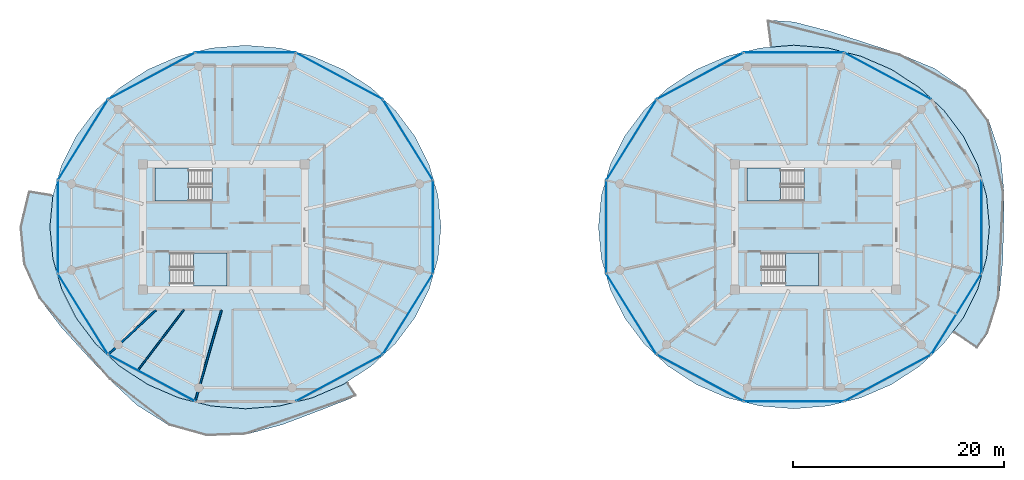
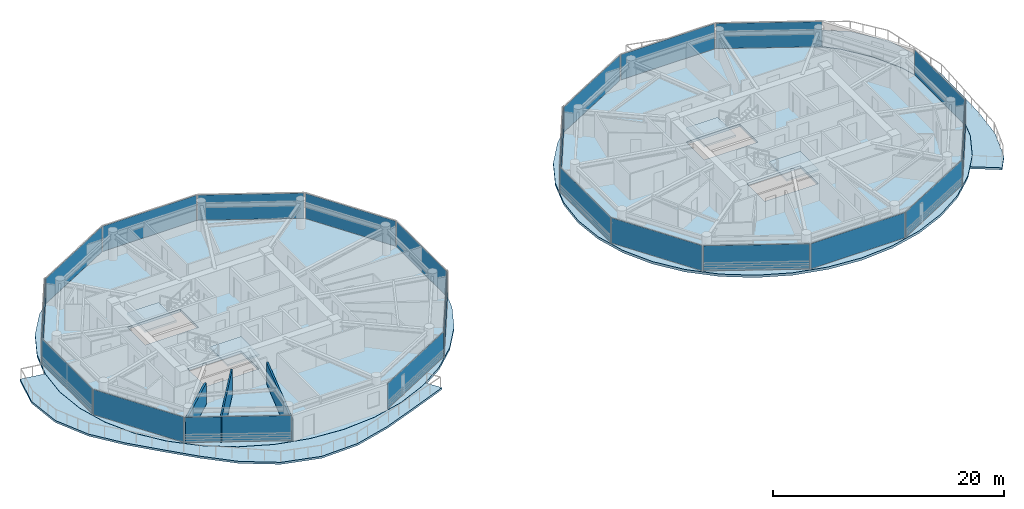
# One storey, part 12 of 24: 22 plates, 8 slabs, 3 walls, 26 elements without a shape of their own.
"""IFC4 building model written with IfcOpenShell, lengths in metres."""

from ifc_helpers import new_model, si_unit, direction, frame, frame_2d, origin, origin_2d, place, context, subcontext, project, spatial, polyline, rectangle, outline, extrude, source, transform, mapped, material, layer, layer_set, type_object, type_shapes, element, aggregate, save


model = new_model("IFC4")

# Units and contexts
model_context = context("Model", 3, precision=1e-05, world=origin(), true_north=direction((0.0, 1.0)))
body_context = subcontext(model_context, "Body", "Model", "MODEL_VIEW")
ifc_project = project(units=[si_unit("LENGTHUNIT", "METRE"), si_unit("AREAUNIT", "SQUARE_METRE"), si_unit("VOLUMEUNIT", "CUBIC_METRE"), si_unit("PLANEANGLEUNIT", "RADIAN"), si_unit("MASSUNIT", "GRAM", prefix="KILO")], contexts=[model_context])

# Site, building, storey
site_placement = place(None, origin())
site = spatial("IfcSite", under=ifc_project, at=site_placement, CompositionType="ELEMENT")
building_placement = place(site_placement, origin())
building = spatial("IfcBuilding", under=site, at=building_placement, Name="Norrkilde Senior Care Towers", CompositionType="ELEMENT")
storey_placement = place(building_placement, frame((0.0, 0.0, 102.35009765625)))
storey = spatial("IfcBuildingStorey", under=building, at=storey_placement, Name="L31", CompositionType="ELEMENT", Elevation=102.35009765625)

# Slabs
ifc_material_1 = material(Name="Concrete C50/60", Category="concrete")
ifc_layer_1 = layer(ifc_material_1, 0.215087890625)
ifc_layer_set_1 = layer_set([ifc_layer_1], Name="Concrete C50/60")
slab_type_1 = type_object("IfcSlabType", Name="Sinusoidal Balcony Ribbon Slab 215", PredefinedType="FLOOR", material=ifc_layer_set_1)
slab_1_placement = place(storey_placement, frame((0.0, 0.0, -0.215087890625)))
element("IfcSlab", 1, at=slab_1_placement, inside=storey, type_object=slab_type_1, Name="L31 Drum W Swirling Senior Balcony 1", PredefinedType="FLOOR", context=body_context, shape_type="SweptSolid", body=[
    extrude(outline(polyline([(-19.1826171875, -17.46337890625), (-22.44873046875, -18.700439453125), (-25.949951171875, -19.64013671875), (-29.626708984375, -19.770751953125), (-33.16455078125, -18.7841796875), (-36.243408203125, -16.83935546875), (-38.817626953125, -14.427001953125), (-41.12548828125, -11.961669921875), (-43.3896484375, -9.480712890625), (-45.48779296875, -6.725830078125), (-46.941162109375, -3.512451171875), (-47.282958984375, 0.0), (-46.466552734375, 3.422607421875), (-46.465087890625, 3.425537109375), (-44.15869140625, 3.040283203125), (-44.173828125, 2.987548828125), (-44.455078125, 0.0), (-44.173828125, -2.987548828125), (-43.339111328125, -5.884521484375), (-41.975830078125, -8.6025390625), (-40.125732421875, -11.05908203125), (-37.8447265625, -13.1796875), (-35.202392578125, -14.89990234375), (-32.279052734375, -16.16748046875), (-29.163330078125, -16.943603515625), (-25.949951171875, -17.205078125), (-22.736572265625, -16.943603515625), (-19.620849609375, -16.16748046875), (-16.697509765625, -14.89990234375), (-16.2919921875, -14.635986328125), (-15.416259765625, -15.963134765625), (-15.991455078125, -16.215576171875), (-19.1826171875, -17.46337890625)])), origin(), (0.0, 0.0, 1.0), 0.215087890625),
])
slab_2_placement = place(storey_placement, frame((0.0, 0.0, -0.215087890625)))
element("IfcSlab", 2, at=slab_2_placement, inside=storey, type_object=slab_type_1, Name="L31 Drum E Swirling Senior Balcony 1", PredefinedType="FLOOR", context=body_context, shape_type="SweptSolid", body=[
    extrude(outline(polyline([(44.309326171875, -10.0517578125), (43.295166015625, -11.500732421875), (40.95947265625, -9.9521484375), (41.975830078125, -8.6025390625), (43.339111328125, -5.884521484375), (44.173828125, -2.987548828125), (44.455078125, 0.0), (44.173828125, 2.987548828125), (43.339111328125, 5.884521484375), (41.975830078125, 8.6025390625), (40.125732421875, 11.05908203125), (37.8447265625, 13.1796875), (35.202392578125, 14.89990234375), (32.279052734375, 16.16748046875), (29.163330078125, 16.943603515625), (25.949951171875, 17.205078125), (23.742431640625, 17.025390625), (23.409912109375, 19.589111328125), (25.949951171875, 19.406005859375), (29.419189453125, 18.50439453125), (32.710693359375, 17.443359375), (35.989501953125, 16.36669921875), (39.263916015625, 14.999267578125), (42.216552734375, 12.9462890625), (44.378173828125, 10.094482421875), (45.511962890625, 6.7353515625), (45.8310546875, 3.302001953125), (45.80419921875, 0.0), (45.708984375, -3.27880859375), (45.363525390625, -6.677001953125), (44.309326171875, -10.0517578125)])), origin(), (0.0, 0.0, 1.0), 0.215087890625),
])

# Stair, slab
ifc_material_2 = material(Name="Concrete C45/55", Category="concrete")
stair_type = type_object("IfcStairType", Name="Core Protected Dogleg Stair Typical 3050", PredefinedType="HALF_TURN_STAIR", material=ifc_material_2)
stair_1_placement = place(storey_placement, origin())
stair_1 = element("IfcStair", 3, at=stair_1_placement, inside=storey, type_object=stair_type, Name="L31 Protected Core Stair W1", PredefinedType="HALF_TURN_STAIR")
ifc_layer_2 = layer(ifc_material_2, 0.199951171875)
ifc_layer_set_2 = layer_set([ifc_layer_2], Name="Concrete C45/55")
slab_type_2 = type_object("IfcSlabType", Name="Stair Landing Slab 200", PredefinedType="LANDING", material=ifc_layer_set_2)
slab_3_placement = place(storey_placement, frame((0.0, 0.0, 1.324951171875)))
slab_3 = element("IfcSlab", 4, at=slab_3_placement, type_object=slab_type_2, Name="ST-W1 landing 1", PredefinedType="LANDING", context=body_context, shape_type="SweptSolid", body=[
    extrude(outline(polyline([(-31.340087890625, 5.590087890625), (-34.5, 5.590087890625), (-34.5, 2.449951171875), (-31.340087890625, 2.449951171875), (-31.340087890625, 5.590087890625)])), origin(), (0.0, 0.0, 1.0), 0.199951171875),
])
aggregate(stair_1, [slab_3])

stair_2_placement = place(storey_placement, origin())
stair_2 = element("IfcStair", 5, at=stair_2_placement, inside=storey, type_object=stair_type, Name="L31 Protected Core Stair W2", PredefinedType="HALF_TURN_STAIR")
slab_4_placement = place(storey_placement, frame((0.0, 0.0, 1.324951171875)))
slab_4 = element("IfcSlab", 6, at=slab_4_placement, type_object=slab_type_2, Name="ST-W2 landing 1", PredefinedType="LANDING", context=body_context, shape_type="SweptSolid", body=[
    extrude(outline(polyline([(-30.860107421875, -5.590087890625), (-27.699951171875, -5.590087890625), (-27.699951171875, -2.449951171875), (-30.860107421875, -2.449951171875), (-30.860107421875, -5.590087890625)])), origin(), (0.0, 0.0, 1.0), 0.199951171875),
])
aggregate(stair_2, [slab_4])

stair_3_placement = place(storey_placement, origin())
stair_3 = element("IfcStair", 7, at=stair_3_placement, inside=storey, type_object=stair_type, Name="L31 Protected Core Stair E1", PredefinedType="HALF_TURN_STAIR")
slab_5_placement = place(storey_placement, frame((0.0, 0.0, 1.324951171875)))
slab_5 = element("IfcSlab", 8, at=slab_5_placement, type_object=slab_type_2, Name="ST-E1 landing 1", PredefinedType="LANDING", context=body_context, shape_type="SweptSolid", body=[
    extrude(outline(polyline([(24.659912109375, 5.590087890625), (21.5, 5.590087890625), (21.5, 2.449951171875), (24.659912109375, 2.449951171875), (24.659912109375, 5.590087890625)])), origin(), (0.0, 0.0, 1.0), 0.199951171875),
])
aggregate(stair_3, [slab_5])

stair_4_placement = place(storey_placement, origin())
stair_4 = element("IfcStair", 9, at=stair_4_placement, inside=storey, type_object=stair_type, Name="L31 Protected Core Stair E2", PredefinedType="HALF_TURN_STAIR")
slab_6_placement = place(storey_placement, frame((0.0, 0.0, 1.324951171875)))
slab_6 = element("IfcSlab", 10, at=slab_6_placement, type_object=slab_type_2, Name="ST-E2 landing 1", PredefinedType="LANDING", context=body_context, shape_type="SweptSolid", body=[
    extrude(outline(polyline([(25.139892578125, -5.590087890625), (28.300048828125, -5.590087890625), (28.300048828125, -2.449951171875), (25.139892578125, -2.449951171875), (25.139892578125, -5.590087890625)])), origin(), (0.0, 0.0, 1.0), 0.199951171875),
])
aggregate(stair_4, [slab_6])

# Slabs
ifc_layer_3 = layer(ifc_material_1, 0.260009765625)
ifc_layer_set_3 = layer_set([ifc_layer_3], Name="Concrete C50/60")
slab_type_3 = type_object("IfcSlabType", Name="Tower Care Floor Slab 260", PredefinedType="FLOOR", material=ifc_layer_set_3)
slab_7_placement = place(storey_placement, frame((0.0, 0.0, -0.260009765625)))
element("IfcSlab", 11, at=slab_7_placement, inside=storey, type_object=slab_type_3, Name="L31 Drum W Structural Floor Slab", PredefinedType="FLOOR", context=body_context, shape_type="SweptSolid", body=[
    extrude(outline(polyline([(-8.565673828125, -5.8828125), (-9.928466796875, -8.60009765625), (-11.778076171875, -11.055908203125), (-14.058349609375, -13.176025390625), (-16.699951171875, -14.895751953125), (-19.62255859375, -16.16259765625), (-22.737548828125, -16.938720703125), (-25.949951171875, -17.199951171875), (-29.16259765625, -16.938720703125), (-32.27734375, -16.16259765625), (-35.199951171875, -14.895751953125), (-37.841552734375, -13.176025390625), (-40.121826171875, -11.055908203125), (-41.971435546875, -8.60009765625), (-43.334228515625, -5.8828125), (-44.1689453125, -2.98681640625), (-44.449951171875, 0.0), (-44.1689453125, 2.98681640625), (-43.334228515625, 5.8828125), (-41.971435546875, 8.60009765625), (-40.121826171875, 11.055908203125), (-37.841552734375, 13.176025390625), (-35.199951171875, 14.895751953125), (-32.27734375, 16.16259765625), (-29.16259765625, 16.938720703125), (-25.949951171875, 17.199951171875), (-22.737548828125, 16.938720703125), (-19.62255859375, 16.16259765625), (-16.699951171875, 14.895751953125), (-14.058349609375, 13.176025390625), (-11.778076171875, 11.055908203125), (-9.928466796875, 8.60009765625), (-8.565673828125, 5.8828125), (-7.73095703125, 2.98681640625), (-7.449951171875, 0.0), (-7.73095703125, -2.98681640625), (-8.565673828125, -5.8828125)]), holes=[polyline([(-34.48193359375, 2.468017578125), (-29.117919921875, 2.468017578125), (-29.117919921875, 5.590087890625), (-34.48193359375, 5.590087890625), (-34.48193359375, 2.468017578125)]), polyline([(-27.718017578125, -5.590087890625), (-27.718017578125, -2.468017578125), (-33.08203125, -2.468017578125), (-33.08203125, -5.590087890625), (-27.718017578125, -5.590087890625)])]), origin(), (0.0, 0.0, 1.0), 0.260009765625),
])
slab_8_placement = place(storey_placement, frame((0.0, 0.0, -0.260009765625)))
element("IfcSlab", 12, at=slab_8_placement, inside=storey, type_object=slab_type_3, Name="L31 Drum E Structural Floor Slab", PredefinedType="FLOOR", context=body_context, shape_type="SweptSolid", body=[
    extrude(outline(polyline([(43.334228515625, -5.8828125), (41.971435546875, -8.60009765625), (40.121826171875, -11.055908203125), (37.841552734375, -13.176025390625), (35.199951171875, -14.895751953125), (32.27734375, -16.16259765625), (29.16259765625, -16.938720703125), (25.949951171875, -17.199951171875), (22.737548828125, -16.938720703125), (19.62255859375, -16.16259765625), (16.699951171875, -14.895751953125), (14.058349609375, -13.176025390625), (11.778076171875, -11.055908203125), (9.928466796875, -8.60009765625), (8.565673828125, -5.8828125), (7.73095703125, -2.98681640625), (7.449951171875, 0.0), (7.73095703125, 2.98681640625), (8.565673828125, 5.8828125), (9.928466796875, 8.60009765625), (11.778076171875, 11.055908203125), (14.058349609375, 13.176025390625), (16.699951171875, 14.895751953125), (19.62255859375, 16.16259765625), (22.737548828125, 16.938720703125), (25.949951171875, 17.199951171875), (29.16259765625, 16.938720703125), (32.27734375, 16.16259765625), (35.199951171875, 14.895751953125), (37.841552734375, 13.176025390625), (40.121826171875, 11.055908203125), (41.971435546875, 8.60009765625), (43.334228515625, 5.8828125), (44.1689453125, 2.98681640625), (44.449951171875, 0.0), (44.1689453125, -2.98681640625), (43.334228515625, -5.8828125)]), holes=[polyline([(21.51806640625, 2.468017578125), (26.882080078125, 2.468017578125), (26.882080078125, 5.590087890625), (21.51806640625, 5.590087890625), (21.51806640625, 2.468017578125)]), polyline([(28.281982421875, -5.590087890625), (28.281982421875, -2.468017578125), (22.91796875, -2.468017578125), (22.91796875, -5.590087890625), (28.281982421875, -5.590087890625)])]), origin(), (0.0, 0.0, 1.0), 0.260009765625),
])

# Curtain wall, plate
ifc_material_3 = material(Name="Triple Low-E Insulated Glazing", Category="glass")
ifc_layer_4 = layer(ifc_material_3, 0.195068359375)
ifc_layer_set_4 = layer_set([ifc_layer_4], Name="Triple Low-E Insulated Glazing")
curtain_wall_type = type_object("IfcCurtainWallType", Name="CW3 Zone 2 Assisted Living Curtain Wall", PredefinedType="NOTDEFINED", material=ifc_layer_set_4)
curtain_wall_1_placement = place(storey_placement, origin())
curtain_wall_1 = element("IfcCurtainWall", 13, at=curtain_wall_1_placement, inside=storey, type_object=curtain_wall_type, Name="L31 Drum W Curtain Wall 00", PredefinedType="NOTDEFINED")
ifc_layer_5 = layer(ifc_material_3, 0.035888671875)
ifc_layer_set_5 = layer_set([ifc_layer_5], Name="Triple Low-E Insulated Glazing")
plate_type = type_object("IfcPlateType", Name="Triple Low-E Vision Curtain Panel 36", PredefinedType="CURTAIN_PANEL", material=ifc_layer_set_5)
shared_shape_1 = source(origin(), body_context, "Body", "SweptSolid", [
    extrude(rectangle(XDim=8.88427734375, YDim=0.035888671875, at=origin_2d()), origin(), (0.0, 0.0, 1.0), 2.669921875),
])
plate_1_placement = place(storey_placement, frame((-10.574951171875, 8.2490234375, 0.06005859375), z_axis=(0.0, 0.0, 1.0), x_axis=(0.527733228002, -0.849410171862, 0.0)))
plate_1 = element("IfcPlate", 14, at=plate_1_placement, type_object=plate_type, Name="CW-3 panel 1.1", PredefinedType="CURTAIN_PANEL", context=body_context, shape_type="MappedRepresentation", body=[
    mapped(shared_shape_1, transform((0.0, 0.0, 0.0), x_axis=(1.0, 0.0, 0.0), y_axis=(0.0, 1.0, 0.0), z_axis=(0.0, 0.0, 1.0), scale=1.0)),
])
aggregate(curtain_wall_1, [plate_1])

curtain_wall_2_placement = place(storey_placement, origin())
curtain_wall_2 = element("IfcCurtainWall", 15, at=curtain_wall_2_placement, inside=storey, type_object=curtain_wall_type, Name="L31 Drum W Curtain Wall 04", PredefinedType="NOTDEFINED")
plate_2_placement = place(storey_placement, frame((-41.3251953125, 8.2490234375, 0.06005859375), z_axis=(0.0, 0.0, 1.0), x_axis=(0.527733228002, 0.849410171862, 0.0)))
plate_2 = element("IfcPlate", 16, at=plate_2_placement, type_object=plate_type, Name="CW-3 panel 1.1", PredefinedType="CURTAIN_PANEL", context=body_context, shape_type="MappedRepresentation", body=[
    mapped(shared_shape_1, transform((0.0, 0.0, 0.0), x_axis=(1.0, 0.0, 0.0), y_axis=(0.0, 1.0, 0.0), z_axis=(0.0, 0.0, 1.0), scale=1.0)),
])
aggregate(curtain_wall_2, [plate_2])

curtain_wall_3_placement = place(storey_placement, origin())
curtain_wall_3 = element("IfcCurtainWall", 17, at=curtain_wall_3_placement, inside=storey, type_object=curtain_wall_type, Name="L31 Drum W Curtain Wall 06", PredefinedType="NOTDEFINED")
plate_3_placement = place(storey_placement, frame((-41.3251953125, -8.2490234375, 0.06005859375), z_axis=(0.0, 0.0, 1.0), x_axis=(-0.527733228002, 0.849410171862, 0.0)))
plate_3 = element("IfcPlate", 18, at=plate_3_placement, type_object=plate_type, Name="CW-3 panel 1.1", PredefinedType="CURTAIN_PANEL", context=body_context, shape_type="MappedRepresentation", body=[
    mapped(shared_shape_1, transform((0.0, 0.0, 0.0), x_axis=(1.0, 0.0, 0.0), y_axis=(0.0, 1.0, 0.0), z_axis=(0.0, 0.0, 1.0), scale=1.0)),
])
aggregate(curtain_wall_3, [plate_3])

curtain_wall_4_placement = place(storey_placement, origin())
curtain_wall_4 = element("IfcCurtainWall", 19, at=curtain_wall_4_placement, inside=storey, type_object=curtain_wall_type, Name="L31 Drum W Curtain Wall 10", PredefinedType="NOTDEFINED")
plate_4_placement = place(storey_placement, frame((-10.574951171875, -8.2490234375, 0.06005859375), z_axis=(0.0, 0.0, 1.0), x_axis=(-0.527733228002, -0.849410171862, 0.0)))
plate_4 = element("IfcPlate", 20, at=plate_4_placement, type_object=plate_type, Name="CW-3 panel 1.1", PredefinedType="CURTAIN_PANEL", context=body_context, shape_type="MappedRepresentation", body=[
    mapped(shared_shape_1, transform((0.0, 0.0, 0.0), x_axis=(1.0, 0.0, 0.0), y_axis=(0.0, 1.0, 0.0), z_axis=(0.0, 0.0, 1.0), scale=1.0)),
])
aggregate(curtain_wall_4, [plate_4])

curtain_wall_5_placement = place(storey_placement, origin())
curtain_wall_5 = element("IfcCurtainWall", 21, at=curtain_wall_5_placement, inside=storey, type_object=curtain_wall_type, Name="L31 Drum E Curtain Wall 04", PredefinedType="NOTDEFINED")
plate_5_placement = place(storey_placement, frame((10.574951171875, 8.2490234375, 0.06005859375), z_axis=(0.0, 0.0, 1.0), x_axis=(0.527733228002, 0.849410171862, 0.0)))
plate_5 = element("IfcPlate", 22, at=plate_5_placement, type_object=plate_type, Name="CW-3 panel 1.1", PredefinedType="CURTAIN_PANEL", context=body_context, shape_type="MappedRepresentation", body=[
    mapped(shared_shape_1, transform((0.0, 0.0, 0.0), x_axis=(1.0, 0.0, 0.0), y_axis=(0.0, 1.0, 0.0), z_axis=(0.0, 0.0, 1.0), scale=1.0)),
])
aggregate(curtain_wall_5, [plate_5])

curtain_wall_6_placement = place(storey_placement, origin())
curtain_wall_6 = element("IfcCurtainWall", 23, at=curtain_wall_6_placement, inside=storey, type_object=curtain_wall_type, Name="L31 Drum E Curtain Wall 06", PredefinedType="NOTDEFINED")
plate_6_placement = place(storey_placement, frame((10.574951171875, -8.2490234375, 0.06005859375), z_axis=(0.0, 0.0, 1.0), x_axis=(-0.527733228002, 0.849410171862, 0.0)))
plate_6 = element("IfcPlate", 24, at=plate_6_placement, type_object=plate_type, Name="CW-3 panel 1.1", PredefinedType="CURTAIN_PANEL", context=body_context, shape_type="MappedRepresentation", body=[
    mapped(shared_shape_1, transform((0.0, 0.0, 0.0), x_axis=(1.0, 0.0, 0.0), y_axis=(0.0, 1.0, 0.0), z_axis=(0.0, 0.0, 1.0), scale=1.0)),
])
aggregate(curtain_wall_6, [plate_6])

curtain_wall_7_placement = place(storey_placement, origin())
curtain_wall_7 = element("IfcCurtainWall", 25, at=curtain_wall_7_placement, inside=storey, type_object=curtain_wall_type, Name="L31 Drum E Curtain Wall 10", PredefinedType="NOTDEFINED")
plate_7_placement = place(storey_placement, frame((41.3251953125, -8.2490234375, 0.06005859375), z_axis=(0.0, 0.0, 1.0), x_axis=(-0.527733228002, -0.849410171862, 0.0)))
plate_7 = element("IfcPlate", 26, at=plate_7_placement, type_object=plate_type, Name="CW-3 panel 1.1", PredefinedType="CURTAIN_PANEL", context=body_context, shape_type="MappedRepresentation", body=[
    mapped(shared_shape_1, transform((0.0, 0.0, 0.0), x_axis=(1.0, 0.0, 0.0), y_axis=(0.0, 1.0, 0.0), z_axis=(0.0, 0.0, 1.0), scale=1.0)),
])
aggregate(curtain_wall_7, [plate_7])

curtain_wall_8_placement = place(storey_placement, origin())
curtain_wall_8 = element("IfcCurtainWall", 27, at=curtain_wall_8_placement, inside=storey, type_object=curtain_wall_type, Name="L31 Drum W Curtain Wall 01", PredefinedType="NOTDEFINED")
shared_shape_2 = source(origin(), body_context, "Body", "SweptSolid", [
    extrude(rectangle(XDim=9.220458984375, YDim=0.035888671875, at=origin_2d()), origin(), (0.0, 0.0, 1.0), 2.669921875),
])
plate_8_placement = place(storey_placement, frame((-17.0732421875, 14.28759765625, 0.06005859375), z_axis=(0.0, 0.0, 1.0), x_axis=(0.881186184668, -0.472769402511, 0.0)))
plate_8 = element("IfcPlate", 28, at=plate_8_placement, type_object=plate_type, Name="CW-3 panel 1.1", PredefinedType="CURTAIN_PANEL", context=body_context, shape_type="MappedRepresentation", body=[
    mapped(shared_shape_2, transform((0.0, 0.0, 0.0), x_axis=(1.0, 0.0, 0.0), y_axis=(0.0, 1.0, 0.0), z_axis=(0.0, 0.0, 1.0), scale=1.0)),
])
aggregate(curtain_wall_8, [plate_8])

curtain_wall_9_placement = place(storey_placement, origin())
curtain_wall_9 = element("IfcCurtainWall", 29, at=curtain_wall_9_placement, inside=storey, type_object=curtain_wall_type, Name="L31 Drum W Curtain Wall 03", PredefinedType="NOTDEFINED")
plate_9_placement = place(storey_placement, frame((-34.826904296875, 14.28759765625, 0.06005859375), z_axis=(0.0, 0.0, 1.0), x_axis=(0.881186184668, 0.472769402511, 0.0)))
plate_9 = element("IfcPlate", 30, at=plate_9_placement, type_object=plate_type, Name="CW-3 panel 1.1", PredefinedType="CURTAIN_PANEL", context=body_context, shape_type="MappedRepresentation", body=[
    mapped(shared_shape_2, transform((0.0, 0.0, 0.0), x_axis=(1.0, 0.0, 0.0), y_axis=(0.0, 1.0, 0.0), z_axis=(0.0, 0.0, 1.0), scale=1.0)),
])
aggregate(curtain_wall_9, [plate_9])

curtain_wall_10_placement = place(storey_placement, origin())
curtain_wall_10 = element("IfcCurtainWall", 31, at=curtain_wall_10_placement, inside=storey, type_object=curtain_wall_type, Name="L31 Drum W Curtain Wall 07", PredefinedType="NOTDEFINED")
plate_10_placement = place(storey_placement, frame((-34.826904296875, -14.28759765625, 0.06005859375), z_axis=(0.0, 0.0, 1.0), x_axis=(-0.881186184668, 0.472769402511, 0.0)))
plate_10 = element("IfcPlate", 32, at=plate_10_placement, type_object=plate_type, Name="CW-3 panel 1.1", PredefinedType="CURTAIN_PANEL", context=body_context, shape_type="MappedRepresentation", body=[
    mapped(shared_shape_2, transform((0.0, 0.0, 0.0), x_axis=(1.0, 0.0, 0.0), y_axis=(0.0, 1.0, 0.0), z_axis=(0.0, 0.0, 1.0), scale=1.0)),
])
aggregate(curtain_wall_10, [plate_10])

curtain_wall_11_placement = place(storey_placement, origin())
curtain_wall_11 = element("IfcCurtainWall", 33, at=curtain_wall_11_placement, inside=storey, type_object=curtain_wall_type, Name="L31 Drum W Curtain Wall 09", PredefinedType="NOTDEFINED")
plate_11_placement = place(storey_placement, frame((-17.0732421875, -14.28759765625, 0.06005859375), z_axis=(0.0, 0.0, 1.0), x_axis=(-0.881186184668, -0.472769402511, 0.0)))
plate_11 = element("IfcPlate", 34, at=plate_11_placement, type_object=plate_type, Name="CW-3 panel 1.1", PredefinedType="CURTAIN_PANEL", context=body_context, shape_type="MappedRepresentation", body=[
    mapped(shared_shape_2, transform((0.0, 0.0, 0.0), x_axis=(1.0, 0.0, 0.0), y_axis=(0.0, 1.0, 0.0), z_axis=(0.0, 0.0, 1.0), scale=1.0)),
])
aggregate(curtain_wall_11, [plate_11])

curtain_wall_12_placement = place(storey_placement, origin())
curtain_wall_12 = element("IfcCurtainWall", 35, at=curtain_wall_12_placement, inside=storey, type_object=curtain_wall_type, Name="L31 Drum E Curtain Wall 01", PredefinedType="NOTDEFINED")
plate_12_placement = place(storey_placement, frame((34.826904296875, 14.28759765625, 0.06005859375), z_axis=(0.0, 0.0, 1.0), x_axis=(0.881186184668, -0.472769402511, 0.0)))
plate_12 = element("IfcPlate", 36, at=plate_12_placement, type_object=plate_type, Name="CW-3 panel 1.1", PredefinedType="CURTAIN_PANEL", context=body_context, shape_type="MappedRepresentation", body=[
    mapped(shared_shape_2, transform((0.0, 0.0, 0.0), x_axis=(1.0, 0.0, 0.0), y_axis=(0.0, 1.0, 0.0), z_axis=(0.0, 0.0, 1.0), scale=1.0)),
])
aggregate(curtain_wall_12, [plate_12])

curtain_wall_13_placement = place(storey_placement, origin())
curtain_wall_13 = element("IfcCurtainWall", 37, at=curtain_wall_13_placement, inside=storey, type_object=curtain_wall_type, Name="L31 Drum E Curtain Wall 03", PredefinedType="NOTDEFINED")
plate_13_placement = place(storey_placement, frame((17.0732421875, 14.28759765625, 0.06005859375), z_axis=(0.0, 0.0, 1.0), x_axis=(0.881186184668, 0.472769402511, 0.0)))
plate_13 = element("IfcPlate", 38, at=plate_13_placement, type_object=plate_type, Name="CW-3 panel 1.1", PredefinedType="CURTAIN_PANEL", context=body_context, shape_type="MappedRepresentation", body=[
    mapped(shared_shape_2, transform((0.0, 0.0, 0.0), x_axis=(1.0, 0.0, 0.0), y_axis=(0.0, 1.0, 0.0), z_axis=(0.0, 0.0, 1.0), scale=1.0)),
])
aggregate(curtain_wall_13, [plate_13])

curtain_wall_14_placement = place(storey_placement, origin())
curtain_wall_14 = element("IfcCurtainWall", 39, at=curtain_wall_14_placement, inside=storey, type_object=curtain_wall_type, Name="L31 Drum E Curtain Wall 07", PredefinedType="NOTDEFINED")
plate_14_placement = place(storey_placement, frame((17.0732421875, -14.28759765625, 0.06005859375), z_axis=(0.0, 0.0, 1.0), x_axis=(-0.881186184668, 0.472769402511, 0.0)))
plate_14 = element("IfcPlate", 40, at=plate_14_placement, type_object=plate_type, Name="CW-3 panel 1.1", PredefinedType="CURTAIN_PANEL", context=body_context, shape_type="MappedRepresentation", body=[
    mapped(shared_shape_2, transform((0.0, 0.0, 0.0), x_axis=(1.0, 0.0, 0.0), y_axis=(0.0, 1.0, 0.0), z_axis=(0.0, 0.0, 1.0), scale=1.0)),
])
aggregate(curtain_wall_14, [plate_14])

curtain_wall_15_placement = place(storey_placement, origin())
curtain_wall_15 = element("IfcCurtainWall", 41, at=curtain_wall_15_placement, inside=storey, type_object=curtain_wall_type, Name="L31 Drum E Curtain Wall 09", PredefinedType="NOTDEFINED")
plate_15_placement = place(storey_placement, frame((34.826904296875, -14.28759765625, 0.06005859375), z_axis=(0.0, 0.0, 1.0), x_axis=(-0.881186184668, -0.472769402511, 0.0)))
plate_15 = element("IfcPlate", 42, at=plate_15_placement, type_object=plate_type, Name="CW-3 panel 1.1", PredefinedType="CURTAIN_PANEL", context=body_context, shape_type="MappedRepresentation", body=[
    mapped(shared_shape_2, transform((0.0, 0.0, 0.0), x_axis=(1.0, 0.0, 0.0), y_axis=(0.0, 1.0, 0.0), z_axis=(0.0, 0.0, 1.0), scale=1.0)),
])
aggregate(curtain_wall_15, [plate_15])

curtain_wall_16_placement = place(storey_placement, origin())
curtain_wall_16 = element("IfcCurtainWall", 43, at=curtain_wall_16_placement, inside=storey, type_object=curtain_wall_type, Name="L31 Drum W Curtain Wall 02", PredefinedType="NOTDEFINED")
shared_shape_3 = source(origin(), body_context, "Body", "SweptSolid", [
    extrude(rectangle(XDim=9.38427734375, YDim=0.035888671875, at=origin_2d()), origin(), (0.0, 0.0, 1.0), 2.669921875),
])
plate_16_placement = place(storey_placement, frame((-25.949951171875, 16.498046875, 0.06005859375), z_axis=(0.0, 0.0, 1.0), x_axis=(1.0, 0.0, 0.0)))
plate_16 = element("IfcPlate", 44, at=plate_16_placement, type_object=plate_type, Name="CW-3 panel 1.1", PredefinedType="CURTAIN_PANEL", context=body_context, shape_type="MappedRepresentation", body=[
    mapped(shared_shape_3, transform((0.0, 0.0, 0.0), x_axis=(1.0, 0.0, 0.0), y_axis=(0.0, 1.0, 0.0), z_axis=(0.0, 0.0, 1.0), scale=1.0)),
])
aggregate(curtain_wall_16, [plate_16])

curtain_wall_17_placement = place(storey_placement, origin())
curtain_wall_17 = element("IfcCurtainWall", 45, at=curtain_wall_17_placement, inside=storey, type_object=curtain_wall_type, Name="L31 Drum E Curtain Wall 02", PredefinedType="NOTDEFINED")
plate_17_placement = place(storey_placement, frame((25.949951171875, 16.498046875, 0.06005859375), z_axis=(0.0, 0.0, 1.0), x_axis=(1.0, 0.0, 0.0)))
plate_17 = element("IfcPlate", 46, at=plate_17_placement, type_object=plate_type, Name="CW-3 panel 1.1", PredefinedType="CURTAIN_PANEL", context=body_context, shape_type="MappedRepresentation", body=[
    mapped(shared_shape_3, transform((0.0, 0.0, 0.0), x_axis=(1.0, 0.0, 0.0), y_axis=(0.0, 1.0, 0.0), z_axis=(0.0, 0.0, 1.0), scale=1.0)),
])
aggregate(curtain_wall_17, [plate_17])

curtain_wall_18_placement = place(storey_placement, origin())
curtain_wall_18 = element("IfcCurtainWall", 47, at=curtain_wall_18_placement, inside=storey, type_object=curtain_wall_type, Name="L31 Drum E Curtain Wall 08", PredefinedType="NOTDEFINED")
plate_18_placement = place(storey_placement, frame((25.949951171875, -16.498046875, 0.06005859375), z_axis=(0.0, 0.0, 1.0), x_axis=(-1.0, 0.0, 0.0)))
plate_18 = element("IfcPlate", 48, at=plate_18_placement, type_object=plate_type, Name="CW-3 panel 1.1", PredefinedType="CURTAIN_PANEL", context=body_context, shape_type="MappedRepresentation", body=[
    mapped(shared_shape_3, transform((0.0, 0.0, 0.0), x_axis=(1.0, 0.0, 0.0), y_axis=(0.0, 1.0, 0.0), z_axis=(0.0, 0.0, 1.0), scale=1.0)),
])
aggregate(curtain_wall_18, [plate_18])

curtain_wall_19_placement = place(storey_placement, origin())
curtain_wall_19 = element("IfcCurtainWall", 49, at=curtain_wall_19_placement, inside=storey, type_object=curtain_wall_type, Name="L31 Drum W Curtain Wall 05", PredefinedType="NOTDEFINED")
shared_shape_4 = source(origin(), body_context, "Body", "SweptSolid", [
    extrude(rectangle(XDim=8.711181640625, YDim=0.035888671875, at=origin_2d()), origin(), (0.0, 0.0, 1.0), 2.669921875),
])
type_shapes(plate_type, [shared_shape_1, shared_shape_2, shared_shape_3, shared_shape_4])
plate_19_placement = place(storey_placement, frame((-43.70361328125, 0.0, 0.06005859375), z_axis=(0.0, 0.0, 1.0), x_axis=(0.0, 1.0, 0.0)))
plate_19 = element("IfcPlate", 50, at=plate_19_placement, type_object=plate_type, Name="CW-3 panel 1.1", PredefinedType="CURTAIN_PANEL", context=body_context, shape_type="MappedRepresentation", body=[
    mapped(shared_shape_4, transform((0.0, 0.0, 0.0), x_axis=(1.0, 0.0, 0.0), y_axis=(0.0, 1.0, 0.0), z_axis=(0.0, 0.0, 1.0), scale=1.0)),
])
aggregate(curtain_wall_19, [plate_19])

curtain_wall_20_placement = place(storey_placement, origin())
curtain_wall_20 = element("IfcCurtainWall", 51, at=curtain_wall_20_placement, inside=storey, type_object=curtain_wall_type, Name="L31 Drum W Curtain Wall 11", PredefinedType="NOTDEFINED")
plate_20_placement = place(storey_placement, frame((-8.1962890625, 0.0, 0.06005859375), z_axis=(0.0, 0.0, 1.0), x_axis=(0.0, -1.0, 0.0)))
plate_20 = element("IfcPlate", 52, at=plate_20_placement, type_object=plate_type, Name="CW-3 panel 1.1", PredefinedType="CURTAIN_PANEL", context=body_context, shape_type="MappedRepresentation", body=[
    mapped(shared_shape_4, transform((0.0, 0.0, 0.0), x_axis=(1.0, 0.0, 0.0), y_axis=(0.0, 1.0, 0.0), z_axis=(0.0, 0.0, 1.0), scale=1.0)),
])
aggregate(curtain_wall_20, [plate_20])

curtain_wall_21_placement = place(storey_placement, origin())
curtain_wall_21 = element("IfcCurtainWall", 53, at=curtain_wall_21_placement, inside=storey, type_object=curtain_wall_type, Name="L31 Drum E Curtain Wall 05", PredefinedType="NOTDEFINED")
plate_21_placement = place(storey_placement, frame((8.1962890625, 0.0, 0.06005859375), z_axis=(0.0, 0.0, 1.0), x_axis=(0.0, 1.0, 0.0)))
plate_21 = element("IfcPlate", 54, at=plate_21_placement, type_object=plate_type, Name="CW-3 panel 1.1", PredefinedType="CURTAIN_PANEL", context=body_context, shape_type="MappedRepresentation", body=[
    mapped(shared_shape_4, transform((0.0, 0.0, 0.0), x_axis=(1.0, 0.0, 0.0), y_axis=(0.0, 1.0, 0.0), z_axis=(0.0, 0.0, 1.0), scale=1.0)),
])
aggregate(curtain_wall_21, [plate_21])

curtain_wall_22_placement = place(storey_placement, origin())
curtain_wall_22 = element("IfcCurtainWall", 55, at=curtain_wall_22_placement, inside=storey, type_object=curtain_wall_type, Name="L31 Drum E Curtain Wall 11", PredefinedType="NOTDEFINED")
plate_22_placement = place(storey_placement, frame((43.70361328125, 0.0, 0.06005859375), z_axis=(0.0, 0.0, 1.0), x_axis=(0.0, -1.0, 0.0)))
plate_22 = element("IfcPlate", 56, at=plate_22_placement, type_object=plate_type, Name="CW-3 panel 1.1", PredefinedType="CURTAIN_PANEL", context=body_context, shape_type="MappedRepresentation", body=[
    mapped(shared_shape_4, transform((0.0, 0.0, 0.0), x_axis=(1.0, 0.0, 0.0), y_axis=(0.0, 1.0, 0.0), z_axis=(0.0, 0.0, 1.0), scale=1.0)),
])
aggregate(curtain_wall_22, [plate_22])

# Walls
ifc_material_4 = material(Name="Gypsum Acoustic Board")
ifc_layer_6 = layer(ifc_material_4, 0.1650390625)
ifc_layer_set_6 = layer_set([ifc_layer_6], Name="Gypsum Acoustic Board")
wall_type_1 = type_object("IfcWallType", Name="Corridor Rated Partition 165", PredefinedType="PARTITIONING", material=ifc_layer_set_6)
shared_shape_5 = source(origin(), body_context, "Body", "SweptSolid", [
    extrude(rectangle(XDim=8.9892578125, YDim=0.1650390625, at=frame_2d((4.49462890625, 0.0))), origin(), (0.0, 0.0, 1.0), 2.27490234375),
])
type_shapes(wall_type_1, [shared_shape_5])
wall_1_placement = place(storey_placement, frame((-28.221923828125, -7.8798828125, 0.0), z_axis=(0.0, 0.0, 1.0), x_axis=(-0.27702323008, -0.960863221274, 0.0)))
element("IfcWall", 57, at=wall_1_placement, inside=storey, type_object=wall_type_1, Name="WL-INT-L31-W-DEM-08-0", PredefinedType="PARTITIONING", context=body_context, shape_type="MappedRepresentation", body=[
    mapped(shared_shape_5, transform((0.0, 0.0, 0.0), x_axis=(1.0, 0.0, 0.0), y_axis=(0.0, 1.0, 0.0), z_axis=(0.0, 0.0, 1.0), scale=1.0)),
])
ifc_layer_7 = layer(ifc_material_4, 0.18994140625)
ifc_layer_set_7 = layer_set([ifc_layer_7], Name="Gypsum Acoustic Board")
wall_type_2 = type_object("IfcWallType", Name="Unit Demising Acoustic Wall 190", PredefinedType="PARTITIONING", material=ifc_layer_set_7)
shared_shape_6 = source(origin(), body_context, "Body", "SweptSolid", [
    extrude(rectangle(XDim=6.186767578125, YDim=0.18994140625, at=frame_2d((3.09326171875, 0.0))), origin(), (0.0, 0.0, 1.0), 2.27490234375),
])
type_shapes(wall_type_2, [shared_shape_6])
wall_2_placement = place(storey_placement, frame((-34.428955078125, -7.8798828125, 0.0), z_axis=(0.0, 0.0, 1.0), x_axis=(-0.732501077882, -0.680765870841, 0.0)))
element("IfcWall", 58, at=wall_2_placement, inside=storey, type_object=wall_type_2, Name="WL-INT-L31-W-DEM-07-0", PredefinedType="PARTITIONING", context=body_context, shape_type="MappedRepresentation", body=[
    mapped(shared_shape_6, transform((0.0, 0.0, 0.0), x_axis=(1.0, 0.0, 0.0), y_axis=(0.0, 1.0, 0.0), z_axis=(0.0, 0.0, 1.0), scale=1.0)),
])
ifc_layer_8 = layer(ifc_material_4, 0.139892578125)
ifc_layer_set_8 = layer_set([ifc_layer_8], Name="Gypsum Acoustic Board")
wall_type_3 = type_object("IfcWallType", Name="En-suite Wet Room Wall 140", PredefinedType="PARTITIONING", material=ifc_layer_set_8)
shared_shape_7 = source(origin(), body_context, "Body", "SweptSolid", [
    extrude(rectangle(XDim=7.24267578125, YDim=0.139892578125, at=frame_2d((3.621337890625, 0.0))), origin(), (0.0, 0.0, 1.0), 2.77490234375),
])
type_shapes(wall_type_3, [shared_shape_7])
wall_3_placement = place(storey_placement, frame((-31.773681640625, -7.830078125, 0.0), z_axis=(0.0, 0.0, 1.0), x_axis=(-0.605111472002, -0.796140757939, 0.0)))
element("IfcWall", 59, at=wall_3_placement, inside=storey, type_object=wall_type_3, Name="WL-INT-L31-W-MID-07", PredefinedType="PARTITIONING", context=body_context, shape_type="MappedRepresentation", body=[
    mapped(shared_shape_7, transform((0.0, 0.0, 0.0), x_axis=(1.0, 0.0, 0.0), y_axis=(0.0, 1.0, 0.0), z_axis=(0.0, 0.0, 1.0), scale=1.0)),
])

save(model, "model.ifc")
